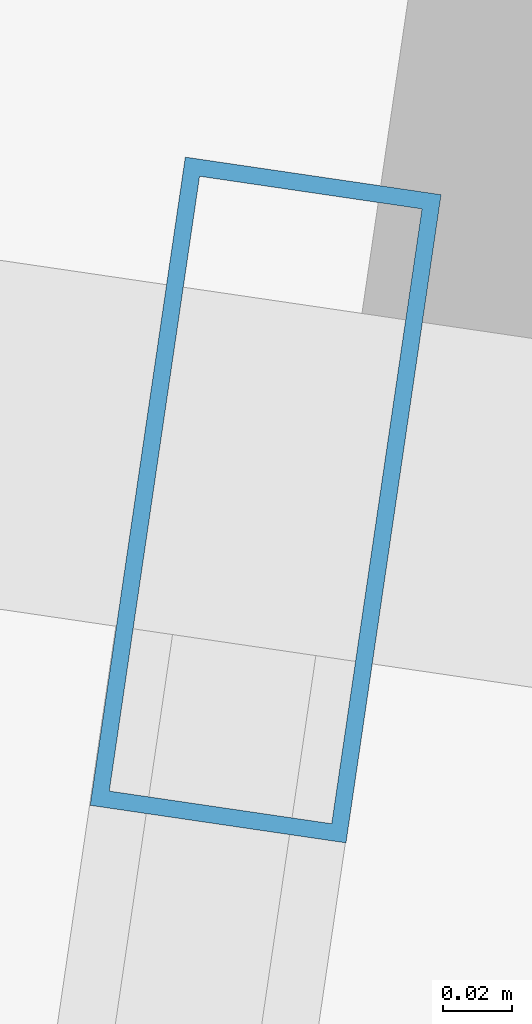
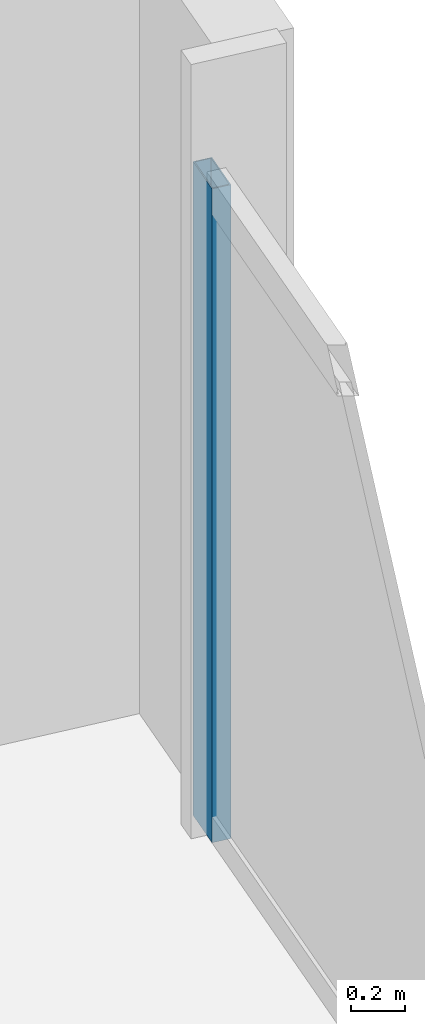
# One storey, part 15 of 22: 1 member, 1 element without a shape of its own.
"""IFC4 building model written with IfcOpenShell, lengths in metres."""

from ifc_helpers import new_model, si_unit, direction, frame, origin, origin_2d, place, context, subcontext, project, spatial, hollow_rectangle, extrude, material, material_profile, profile_set, type_object, element, aggregate, save


model = new_model("IFC4")

# Units and contexts
model_context = context("Model", 3, precision=1e-05, world=origin(), true_north=direction((0.0, 1.0)))
body_context = subcontext(model_context, "Body", "Model", "MODEL_VIEW")
ifc_project = project(units=[si_unit("LENGTHUNIT", "METRE"), si_unit("AREAUNIT", "SQUARE_METRE"), si_unit("VOLUMEUNIT", "CUBIC_METRE"), si_unit("PLANEANGLEUNIT", "RADIAN"), si_unit("MASSUNIT", "GRAM", prefix="KILO")], contexts=[model_context])

# Site, building, storey
site_placement = place(None, origin())
site = spatial("IfcSite", under=ifc_project, at=site_placement, CompositionType="ELEMENT")
building_placement = place(site_placement, origin())
building = spatial("IfcBuilding", under=site, at=building_placement, Name="Haldenkirk Collegiate Tower", CompositionType="ELEMENT")
storey_placement = place(building_placement, frame((0.0, 0.0, 302.699951171875)))
storey = spatial("IfcBuildingStorey", under=building, at=storey_placement, Name="L76", CompositionType="ELEMENT", Elevation=302.699951171875)

# Curtain wall, member
ifc_material = material(Name="Anodised architectural bronze aluminium", Category="aluminium")
curtain_wall_type = type_object("IfcCurtainWallType", Name="CW-SYS2-CONCAVE", PredefinedType="USERDEFINED", material=ifc_material)
curtain_wall_placement = place(storey_placement, origin())
curtain_wall = element("IfcCurtainWall", 1, at=curtain_wall_placement, inside=storey, type_object=curtain_wall_type, Name="L76 South concave recessed bronze-anodised curtain wall", ObjectType="UNITISED CURTAIN WALL", PredefinedType="USERDEFINED")
ifc_material_profile = material_profile(ifc_material, hollow_rectangle(XDim=0.074951171875, YDim=0.18994140625, WallThickness=0.0048828125, at=origin_2d()), Name="CW-MUL-02")
ifc_profile_set = profile_set([ifc_material_profile], Name="Anodised architectural bronze aluminium")
member_type = type_object("IfcMemberType", Name="CW-MUL-02", PredefinedType="MULLION", material=ifc_profile_set)
member_placement = place(storey_placement, frame((60.494140625, 40.559814453125, 0.0), z_axis=(0.0, 0.0, 1.0), x_axis=(0.989399423446, -0.145219767539, 0.0)))
member = element("IfcMember", 2, at=member_placement, type_object=member_type, Name="CW-02 mullion 1", PredefinedType="MULLION", context=body_context, shape_type="SweptSolid", body=[
    extrude(hollow_rectangle(XDim=0.074951171875, YDim=0.18994140625, WallThickness=0.0048828125, at=origin_2d()), origin(), (0.0, 0.0, 1.0), 2.947998046875),
])
aggregate(curtain_wall, [member])

save(model, "model.ifc")
